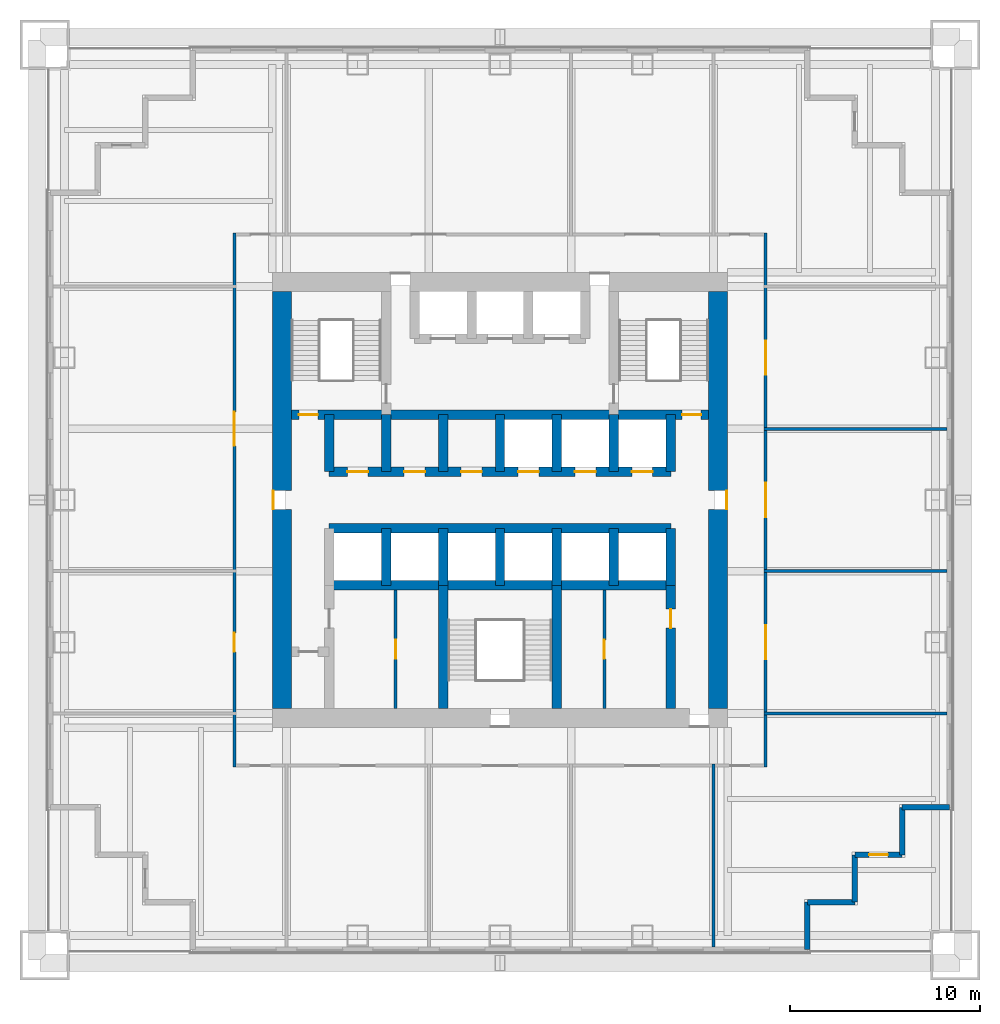
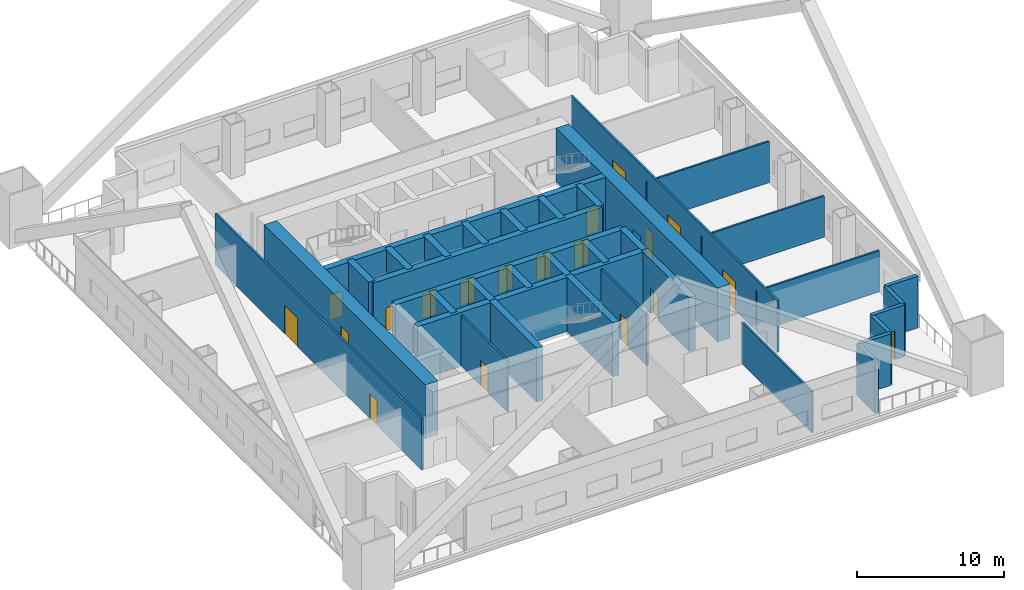
# One storey, part 3 of 6: 36 walls, 19 doors, 19 openings.
"""IFC4 building model written with IfcOpenShell, lengths in metres."""

from ifc_helpers import new_model, si_unit, direction, frame, frame_2d, origin, place, context, subcontext, project, spatial, rectangle, extrude, material, layer, layer_set, type_object, element, fill, save


model = new_model("IFC4")

# Units and contexts
model_context = context("Model", 3, precision=1e-05, world=origin(), true_north=direction((0.0, 1.0)))
body_context = subcontext(model_context, "Body", "Model", "MODEL_VIEW")
ifc_project = project(units=[si_unit("LENGTHUNIT", "METRE"), si_unit("AREAUNIT", "SQUARE_METRE"), si_unit("VOLUMEUNIT", "CUBIC_METRE"), si_unit("PLANEANGLEUNIT", "RADIAN"), si_unit("MASSUNIT", "GRAM", prefix="KILO")], contexts=[model_context])

# Site, building, storey
site_placement = place(None, origin())
site = spatial("IfcSite", under=ifc_project, at=site_placement, CompositionType="ELEMENT")
building_placement = place(site_placement, origin())
building = spatial("IfcBuilding", under=site, at=building_placement, Name="Tarangal Relay Tower", CompositionType="ELEMENT")
storey_placement = place(building_placement, frame((0.0, 0.0, 104.39990234375)))
storey = spatial("IfcBuildingStorey", under=building, at=storey_placement, Name="L20", CompositionType="ELEMENT", Elevation=104.39990234375)

# Wall, openings, doors
ifc_material_1 = material(Name="Concrete fc' 60 MPa", Category="concrete")
ifc_layer_1 = layer(ifc_material_1, 0.5)
ifc_layer_set_1 = layer_set([ifc_layer_1], Name="Core inner wall 500")
wall_type_1 = type_object("IfcWallType", Name="Core inner wall 500", PredefinedType="SHEAR", material=ifc_layer_set_1)
wall_1_placement = place(storey_placement, frame((-11.0, 4.5, 0.0), z_axis=(0.0, 0.0, 1.0), x_axis=(1.0, 0.0, 0.0)))
wall_1 = element("IfcWall", 1, at=wall_1_placement, inside=storey, type_object=wall_type_1, Name="Core wall Y45 L20", PredefinedType="SHEAR", context=body_context, shape_type="SweptSolid", body=[
    extrude(rectangle(XDim=22.0, YDim=0.5, at=frame_2d((11.0, 0.0))), origin(), (0.0, 0.0, 1.0), 4.5),
])
opening_1_placement = place(wall_1_placement, frame((0.39990234375, 0.0, 0.0)))
opening_1 = element("IfcOpeningElement", 2, at=opening_1_placement, cuts=wall_1, Name="Opening FD1", PredefinedType="OPENING", context=body_context, shape_type="SweptSolid", body=[
    extrude(rectangle(XDim=1.0, YDim=2.10009765625, at=frame_2d((0.5, 1.050048828125))), frame((0.0, 0.260009765625, 0.0), z_axis=(0.0, -1.0, 0.0), x_axis=(1.0, 0.0, 0.0)), (0.0, 0.0, 1.0), 0.52001953125),
])
opening_2_placement = place(wall_1_placement, frame((20.60009765625, 0.0, 0.0)))
opening_2 = element("IfcOpeningElement", 3, at=opening_2_placement, cuts=wall_1, Name="Opening FD1", PredefinedType="OPENING", context=body_context, shape_type="SweptSolid", body=[
    extrude(rectangle(XDim=1.0, YDim=2.10009765625, at=frame_2d((0.5, 1.050048828125))), frame((0.0, 0.260009765625, 0.0), z_axis=(0.0, -1.0, 0.0), x_axis=(1.0, 0.0, 0.0)), (0.0, 0.0, 1.0), 0.52001953125),
])
ifc_material_2 = material(Name="Steel door with hardwood frame", Category="steel")
door_type_1 = type_object("IfcDoorType", Name="Fire door 1000 x 2100", OperationType="SINGLE_SWING_LEFT", PredefinedType="DOOR", material=ifc_material_2)
door_1_placement = place(opening_1_placement, origin())
door_1 = element("IfcDoor", 4, at=door_1_placement, inside=storey, type_object=door_type_1, Name="Stair ST-A door from corridor L20", OperationType="SINGLE_SWING_LEFT", OverallHeight=2.10009765625, OverallWidth=1.0, PredefinedType="DOOR", context=body_context, shape_type="SweptSolid", body=[
    extrude(rectangle(XDim=1.0, YDim=2.10009765625, at=frame_2d((0.5, 1.050048828125))), frame((0.0, 0.02490234375, 0.0), z_axis=(0.0, -1.0, 0.0), x_axis=(1.0, 0.0, 0.0)), (0.0, 0.0, 1.0), 0.050048828125),
])
fill(opening_1, door_1)
door_2_placement = place(opening_2_placement, origin())
door_2 = element("IfcDoor", 5, at=door_2_placement, inside=storey, type_object=door_type_1, Name="Stair ST-B door from corridor L20", OperationType="SINGLE_SWING_LEFT", OverallHeight=2.10009765625, OverallWidth=1.0, PredefinedType="DOOR", context=body_context, shape_type="SweptSolid", body=[
    extrude(rectangle(XDim=1.0, YDim=2.10009765625, at=frame_2d((0.5, 1.050048828125))), frame((0.0, 0.02490234375, 0.0), z_axis=(0.0, -1.0, 0.0), x_axis=(1.0, 0.0, 0.0)), (0.0, 0.0, 1.0), 0.050048828125),
])
fill(opening_2, door_2)

wall_2_placement = place(storey_placement, frame((-9.0, 1.5, 0.0), z_axis=(0.0, 0.0, 1.0), x_axis=(1.0, 0.0, 0.0)))
wall_2 = element("IfcWall", 6, at=wall_2_placement, inside=storey, type_object=wall_type_1, Name="Core wall Y15 L20", PredefinedType="SHEAR", context=body_context, shape_type="SweptSolid", body=[
    extrude(rectangle(XDim=18.0, YDim=0.5, at=frame_2d((9.0, 0.0))), origin(), (0.0, 0.0, 1.0), 4.5),
])
opening_3_placement = place(wall_2_placement, frame((9.949951171875, 0.0, 0.0)))
opening_3 = element("IfcOpeningElement", 7, at=opening_3_placement, cuts=wall_2, Name="Opening LD1", PredefinedType="OPENING", context=body_context, shape_type="SweptSolid", body=[
    extrude(rectangle(XDim=1.10009765625, YDim=2.10009765625, at=frame_2d((0.550048828125, 1.050048828125))), frame((0.0, 0.260009765625, 0.0), z_axis=(0.0, -1.0, 0.0), x_axis=(1.0, 0.0, 0.0)), (0.0, 0.0, 1.0), 0.52001953125),
])
opening_4_placement = place(wall_2_placement, frame((12.949951171875, 0.0, 0.0)))
opening_4 = element("IfcOpeningElement", 8, at=opening_4_placement, cuts=wall_2, Name="Opening LD1", PredefinedType="OPENING", context=body_context, shape_type="SweptSolid", body=[
    extrude(rectangle(XDim=1.10009765625, YDim=2.10009765625, at=frame_2d((0.550048828125, 1.050048828125))), frame((0.0, 0.260009765625, 0.0), z_axis=(0.0, -1.0, 0.0), x_axis=(1.0, 0.0, 0.0)), (0.0, 0.0, 1.0), 0.52001953125),
])
opening_5_placement = place(wall_2_placement, frame((15.949951171875, 0.0, 0.0)))
opening_5 = element("IfcOpeningElement", 9, at=opening_5_placement, cuts=wall_2, Name="Opening LD1", PredefinedType="OPENING", context=body_context, shape_type="SweptSolid", body=[
    extrude(rectangle(XDim=1.10009765625, YDim=2.10009765625, at=frame_2d((0.550048828125, 1.050048828125))), frame((0.0, 0.260009765625, 0.0), z_axis=(0.0, -1.0, 0.0), x_axis=(1.0, 0.0, 0.0)), (0.0, 0.0, 1.0), 0.52001953125),
])
opening_6_placement = place(wall_2_placement, frame((0.949951171875, 0.0, 0.0)))
opening_6 = element("IfcOpeningElement", 10, at=opening_6_placement, cuts=wall_2, Name="Opening D4", PredefinedType="OPENING", context=body_context, shape_type="SweptSolid", body=[
    extrude(rectangle(XDim=1.10009765625, YDim=2.10009765625, at=frame_2d((0.550048828125, 1.050048828125))), frame((0.0, 0.260009765625, 0.0), z_axis=(0.0, -1.0, 0.0), x_axis=(1.0, 0.0, 0.0)), (0.0, 0.0, 1.0), 0.52001953125),
])
opening_7_placement = place(wall_2_placement, frame((3.949951171875, 0.0, 0.0)))
opening_7 = element("IfcOpeningElement", 11, at=opening_7_placement, cuts=wall_2, Name="Opening D4", PredefinedType="OPENING", context=body_context, shape_type="SweptSolid", body=[
    extrude(rectangle(XDim=1.10009765625, YDim=2.10009765625, at=frame_2d((0.550048828125, 1.050048828125))), frame((0.0, 0.260009765625, 0.0), z_axis=(0.0, -1.0, 0.0), x_axis=(1.0, 0.0, 0.0)), (0.0, 0.0, 1.0), 0.52001953125),
])
opening_8_placement = place(wall_2_placement, frame((6.949951171875, 0.0, 0.0)))
opening_8 = element("IfcOpeningElement", 12, at=opening_8_placement, cuts=wall_2, Name="Opening D4", PredefinedType="OPENING", context=body_context, shape_type="SweptSolid", body=[
    extrude(rectangle(XDim=1.10009765625, YDim=2.10009765625, at=frame_2d((0.550048828125, 1.050048828125))), frame((0.0, 0.260009765625, 0.0), z_axis=(0.0, -1.0, 0.0), x_axis=(1.0, 0.0, 0.0)), (0.0, 0.0, 1.0), 0.52001953125),
])
door_type_2 = type_object("IfcDoorType", Name="Core room door 1100 x 2100", OperationType="SINGLE_SWING_RIGHT", PredefinedType="DOOR", material=ifc_material_2)
door_3_placement = place(opening_6_placement, origin())
door_3 = element("IfcDoor", 13, at=door_3_placement, inside=storey, type_object=door_type_2, Name="Door D4 to back-of-house plant room L20-D1", OperationType="SINGLE_SWING_RIGHT", OverallHeight=2.10009765625, OverallWidth=1.10009765625, PredefinedType="DOOR", context=body_context, shape_type="SweptSolid", body=[
    extrude(rectangle(XDim=1.10009765625, YDim=2.10009765625, at=frame_2d((0.550048828125, 1.050048828125))), frame((0.0, 0.02490234375, 0.0), z_axis=(0.0, -1.0, 0.0), x_axis=(1.0, 0.0, 0.0)), (0.0, 0.0, 1.0), 0.050048828125),
])
fill(opening_6, door_3)
door_4_placement = place(opening_7_placement, origin())
door_4 = element("IfcDoor", 14, at=door_4_placement, inside=storey, type_object=door_type_2, Name="Door D4 to staff pantry L20-D2", OperationType="SINGLE_SWING_RIGHT", OverallHeight=2.10009765625, OverallWidth=1.10009765625, PredefinedType="DOOR", context=body_context, shape_type="SweptSolid", body=[
    extrude(rectangle(XDim=1.10009765625, YDim=2.10009765625, at=frame_2d((0.550048828125, 1.050048828125))), frame((0.0, 0.02490234375, 0.0), z_axis=(0.0, -1.0, 0.0), x_axis=(1.0, 0.0, 0.0)), (0.0, 0.0, 1.0), 0.050048828125),
])
fill(opening_7, door_4)
door_5_placement = place(opening_8_placement, origin())
door_5 = element("IfcDoor", 15, at=door_5_placement, inside=storey, type_object=door_type_2, Name="Door D4 to staff wc L20-D3", OperationType="SINGLE_SWING_RIGHT", OverallHeight=2.10009765625, OverallWidth=1.10009765625, PredefinedType="DOOR", context=body_context, shape_type="SweptSolid", body=[
    extrude(rectangle(XDim=1.10009765625, YDim=2.10009765625, at=frame_2d((0.550048828125, 1.050048828125))), frame((0.0, 0.02490234375, 0.0), z_axis=(0.0, -1.0, 0.0), x_axis=(1.0, 0.0, 0.0)), (0.0, 0.0, 1.0), 0.050048828125),
])
fill(opening_8, door_5)
door_type_3 = type_object("IfcDoorType", Name="Lift landing door 1100 x 2100", OperationType="SLIDING_TO_LEFT", PredefinedType="DOOR", material=ifc_material_2)
door_6_placement = place(opening_3_placement, origin())
door_6 = element("IfcDoor", 16, at=door_6_placement, inside=storey, type_object=door_type_3, Name="Lift T1 landing door L20", OperationType="SLIDING_TO_LEFT", OverallHeight=2.10009765625, OverallWidth=1.10009765625, PredefinedType="DOOR", context=body_context, shape_type="SweptSolid", body=[
    extrude(rectangle(XDim=1.10009765625, YDim=2.10009765625, at=frame_2d((0.550048828125, 1.050048828125))), frame((0.0, 0.02490234375, 0.0), z_axis=(0.0, -1.0, 0.0), x_axis=(1.0, 0.0, 0.0)), (0.0, 0.0, 1.0), 0.050048828125),
])
fill(opening_3, door_6)
door_7_placement = place(opening_4_placement, origin())
door_7 = element("IfcDoor", 17, at=door_7_placement, inside=storey, type_object=door_type_3, Name="Lift T2 landing door L20", OperationType="SLIDING_TO_LEFT", OverallHeight=2.10009765625, OverallWidth=1.10009765625, PredefinedType="DOOR", context=body_context, shape_type="SweptSolid", body=[
    extrude(rectangle(XDim=1.10009765625, YDim=2.10009765625, at=frame_2d((0.550048828125, 1.050048828125))), frame((0.0, 0.02490234375, 0.0), z_axis=(0.0, -1.0, 0.0), x_axis=(1.0, 0.0, 0.0)), (0.0, 0.0, 1.0), 0.050048828125),
])
fill(opening_4, door_7)
door_8_placement = place(opening_5_placement, origin())
door_8 = element("IfcDoor", 18, at=door_8_placement, inside=storey, type_object=door_type_3, Name="Lift T3 landing door L20", OperationType="SLIDING_TO_LEFT", OverallHeight=2.10009765625, OverallWidth=1.10009765625, PredefinedType="DOOR", context=body_context, shape_type="SweptSolid", body=[
    extrude(rectangle(XDim=1.10009765625, YDim=2.10009765625, at=frame_2d((0.550048828125, 1.050048828125))), frame((0.0, 0.02490234375, 0.0), z_axis=(0.0, -1.0, 0.0), x_axis=(1.0, 0.0, 0.0)), (0.0, 0.0, 1.0), 0.050048828125),
])
fill(opening_5, door_8)

# Walls
for number, where, z_axis, x_axis, name in (
    (19, (-9.0, -1.5, 0.0), (0.0, 0.0, 1.0), (1.0, 0.0, 0.0), "Core wall YM15 L20"),
    (20, (-9.0, -4.5, 0.0), (0.0, 0.0, 1.0), (1.0, 0.0, 0.0), "Core wall YM45 L20"),
):
    element("IfcWall", number, at=place(storey_placement, frame(where, z_axis=z_axis, x_axis=x_axis)), inside=storey, type_object=wall_type_1, Name=name, PredefinedType="SHEAR", context=body_context, shape_type="SweptSolid", body=[
        extrude(rectangle(XDim=18.0, YDim=0.5, at=frame_2d((9.0, 0.0))), origin(), (0.0, 0.0, 1.0), 4.5),
    ])
for number, where, z_axis, x_axis, name in (
    (21, (-9.0, 1.5, 0.0), (0.0, 0.0, 1.0), (0.0, 1.0, 0.0), "Core wall XM9N L20"),
    (22, (9.0, 1.5, 0.0), (0.0, 0.0, 1.0), (0.0, 1.0, 0.0), "Core wall X9N L20"),
    (23, (9.0, -4.5, 0.0), (0.0, 0.0, 1.0), (0.0, 1.0, 0.0), "Core wall X9S L20"),
    (24, (-6.0, 1.5, 0.0), (0.0, 0.0, 1.0), (0.0, 1.0, 0.0), "Core wall XM6N L20"),
    (25, (-3.0, 1.5, 0.0), (0.0, 0.0, 1.0), (0.0, 1.0, 0.0), "Core wall XM3N L20"),
    (26, (0.0, 1.5, 0.0), (0.0, 0.0, 1.0), (0.0, 1.0, 0.0), "Core wall X0N L20"),
    (27, (3.0, 1.5, 0.0), (0.0, 0.0, 1.0), (0.0, 1.0, 0.0), "Core wall X3N L20"),
    (28, (6.0, 1.5, 0.0), (0.0, 0.0, 1.0), (0.0, 1.0, 0.0), "Core wall X6N L20"),
    (29, (-6.0, -4.5, 0.0), (0.0, 0.0, 1.0), (0.0, 1.0, 0.0), "Core wall XM6S L20"),
    (30, (-3.0, -4.5, 0.0), (0.0, 0.0, 1.0), (0.0, 1.0, 0.0), "Core wall XM3S L20"),
    (31, (0.0, -4.5, 0.0), (0.0, 0.0, 1.0), (0.0, 1.0, 0.0), "Core wall X0S L20"),
    (32, (3.0, -4.5, 0.0), (0.0, 0.0, 1.0), (0.0, 1.0, 0.0), "Core wall X3S L20"),
    (33, (6.0, -4.5, 0.0), (0.0, 0.0, 1.0), (0.0, 1.0, 0.0), "Core wall X6S L20"),
):
    element("IfcWall", number, at=place(storey_placement, frame(where, z_axis=z_axis, x_axis=x_axis)), inside=storey, type_object=wall_type_1, Name=name, PredefinedType="SHEAR", context=body_context, shape_type="SweptSolid", body=[
        extrude(rectangle(XDim=3.0, YDim=0.5, at=frame_2d((1.5, 0.0))), origin(), (0.0, 0.0, 1.0), 4.5),
    ])

# Wall, opening, door
wall_3_placement = place(storey_placement, frame((9.0, -11.0, 0.0), z_axis=(0.0, 0.0, 1.0), x_axis=(0.0, 1.0, 0.0)))
wall_3 = element("IfcWall", 34, at=wall_3_placement, inside=storey, type_object=wall_type_1, Name="Core wall X9W L20", PredefinedType="SHEAR", context=body_context, shape_type="SweptSolid", body=[
    extrude(rectangle(XDim=6.5, YDim=0.5, at=frame_2d((3.25, 0.0))), origin(), (0.0, 0.0, 1.0), 4.5),
])
opening_9_placement = place(wall_3_placement, frame((4.25, 0.0, 0.0)))
opening_9 = element("IfcOpeningElement", 35, at=opening_9_placement, cuts=wall_3, Name="Opening D1", PredefinedType="OPENING", context=body_context, shape_type="SweptSolid", body=[
    extrude(rectangle(XDim=1.0, YDim=2.10009765625, at=frame_2d((0.5, 1.050048828125))), frame((0.0, 0.260009765625, 0.0), z_axis=(0.0, -1.0, 0.0), x_axis=(1.0, 0.0, 0.0)), (0.0, 0.0, 1.0), 0.52001953125),
])
ifc_material_3 = material(Name="Hardwood door", Category="wood")
door_type_4 = type_object("IfcDoorType", Name="WC door 1000 x 2100", OperationType="SINGLE_SWING_LEFT", PredefinedType="DOOR", material=ifc_material_3)
door_9_placement = place(opening_9_placement, origin())
door_9 = element("IfcDoor", 36, at=door_9_placement, inside=storey, type_object=door_type_4, Name="Female WC door L20", OperationType="SINGLE_SWING_LEFT", OverallHeight=2.10009765625, OverallWidth=1.0, PredefinedType="DOOR", context=body_context, shape_type="SweptSolid", body=[
    extrude(rectangle(XDim=1.0, YDim=2.10009765625, at=frame_2d((0.5, 1.050048828125))), frame((0.0, 0.02490234375, 0.0), z_axis=(0.0, -1.0, 0.0), x_axis=(1.0, 0.0, 0.0)), (0.0, 0.0, 1.0), 0.050048828125),
])
fill(opening_9, door_9)

# Walls
for number, where, z_axis, x_axis, name in (
    (37, (-3.0, -11.0, 0.0), (0.0, 0.0, 1.0), (0.0, 1.0, 0.0), "Core wall XM3W L20"),
    (38, (3.0, -11.0, 0.0), (0.0, 0.0, 1.0), (0.0, 1.0, 0.0), "Core wall X3W L20"),
):
    element("IfcWall", number, at=place(storey_placement, frame(where, z_axis=z_axis, x_axis=x_axis)), inside=storey, type_object=wall_type_1, Name=name, PredefinedType="SHEAR", context=body_context, shape_type="SweptSolid", body=[
        extrude(rectangle(XDim=6.5, YDim=0.5, at=frame_2d((3.25, 0.0))), origin(), (0.0, 0.0, 1.0), 4.5),
    ])

# Wall, opening, door
ifc_layer_2 = layer(ifc_material_1, 1.0)
ifc_layer_set_2 = layer_set([ifc_layer_2], Name="Core wall 1000")
wall_type_2 = type_object("IfcWallType", Name="Core wall 1000", PredefinedType="SHEAR", material=ifc_layer_set_2)
wall_4_placement = place(storey_placement, frame((11.5, 11.0, 0.0), z_axis=(0.0, 0.0, 1.0), x_axis=(0.0, -1.0, 0.0)))
wall_4 = element("IfcWall", 39, at=wall_4_placement, inside=storey, type_object=wall_type_2, Name="Core wall E L20", PredefinedType="SHEAR", context=body_context, shape_type="SweptSolid", body=[
    extrude(rectangle(XDim=22.0, YDim=1.0, at=frame_2d((11.0, 0.0))), origin(), (0.0, 0.0, 1.0), 4.5),
])
opening_10_placement = place(wall_4_placement, frame((10.5, 0.0, 0.0)))
opening_10 = element("IfcOpeningElement", 40, at=opening_10_placement, cuts=wall_4, Name="Opening FD3", PredefinedType="OPENING", context=body_context, shape_type="SweptSolid", body=[
    extrude(rectangle(XDim=1.0, YDim=2.39990234375, at=frame_2d((0.5, 1.199951171875))), frame((0.0, 0.510009765625, 0.0), z_axis=(0.0, -1.0, 0.0), x_axis=(1.0, 0.0, 0.0)), (0.0, 0.0, 1.0), 1.02001953125),
])
door_type_5 = type_object("IfcDoorType", Name="Fire door 1000 x 2400 core entry", OperationType="SINGLE_SWING_RIGHT", PredefinedType="DOOR", material=ifc_material_2)
door_10_placement = place(opening_10_placement, origin())
door_10 = element("IfcDoor", 41, at=door_10_placement, inside=storey, type_object=door_type_5, Name="Core entry door east L20", OperationType="SINGLE_SWING_RIGHT", OverallHeight=2.39990234375, OverallWidth=1.0, PredefinedType="DOOR", context=body_context, shape_type="SweptSolid", body=[
    extrude(rectangle(XDim=1.0, YDim=2.39990234375, at=frame_2d((0.5, 1.199951171875))), frame((0.0, 0.48486328125, 0.0), z_axis=(0.0, -1.0, 0.0), x_axis=(1.0, 0.0, 0.0)), (0.0, 0.0, 1.0), 0.050048828125),
])
fill(opening_10, door_10)

wall_5_placement = place(storey_placement, frame((-11.5, -11.0, 0.0), z_axis=(0.0, 0.0, 1.0), x_axis=(0.0, 1.0, 0.0)))
wall_5 = element("IfcWall", 42, at=wall_5_placement, inside=storey, type_object=wall_type_2, Name="Core wall W L20", PredefinedType="SHEAR", context=body_context, shape_type="SweptSolid", body=[
    extrude(rectangle(XDim=22.0, YDim=1.0, at=frame_2d((11.0, 0.0))), origin(), (0.0, 0.0, 1.0), 4.5),
])
opening_11_placement = place(wall_5_placement, frame((10.5, 0.0, 0.0)))
opening_11 = element("IfcOpeningElement", 43, at=opening_11_placement, cuts=wall_5, Name="Opening FD3", PredefinedType="OPENING", context=body_context, shape_type="SweptSolid", body=[
    extrude(rectangle(XDim=1.0, YDim=2.39990234375, at=frame_2d((0.5, 1.199951171875))), frame((0.0, 0.510009765625, 0.0), z_axis=(0.0, -1.0, 0.0), x_axis=(1.0, 0.0, 0.0)), (0.0, 0.0, 1.0), 1.02001953125),
])
door_11_placement = place(opening_11_placement, origin())
door_11 = element("IfcDoor", 44, at=door_11_placement, inside=storey, type_object=door_type_5, Name="Core entry door west L20", OperationType="SINGLE_SWING_RIGHT", OverallHeight=2.39990234375, OverallWidth=1.0, PredefinedType="DOOR", context=body_context, shape_type="SweptSolid", body=[
    extrude(rectangle(XDim=1.0, YDim=2.39990234375, at=frame_2d((0.5, 1.199951171875))), frame((0.0, 0.48486328125, 0.0), z_axis=(0.0, -1.0, 0.0), x_axis=(1.0, 0.0, 0.0)), (0.0, 0.0, 1.0), 0.050048828125),
])
fill(opening_11, door_11)

# Walls
ifc_material_4 = material(Name="Insulated precast concrete fc' 40 MPa", Category="concrete")
ifc_layer_3 = layer(ifc_material_4, 0.300048828125)
ifc_layer_set_3 = layer_set([ifc_layer_3], Name="Insulated precast concrete fc' 40 MPa")
wall_type_3 = type_object("IfcWallType", Name="Facade wall precast 300", PredefinedType="SOLIDWALL", material=ifc_layer_set_3)
for number, where, z_axis, x_axis, name in (
    (45, (23.699951171875, -16.199951171875, 0.0), (0.0, 0.0, 1.0), (-1.0, 0.0, 0.0), "Facade wall E facade L20"),
    (46, (21.199951171875, -16.199951171875, 0.0), (0.0, 0.0, 1.0), (0.0, -1.0, 0.0), "Facade wall E facade L20"),
):
    element("IfcWall", number, at=place(storey_placement, frame(where, z_axis=z_axis, x_axis=x_axis)), inside=storey, type_object=wall_type_3, Name=name, PredefinedType="SOLIDWALL", context=body_context, shape_type="SweptSolid", body=[
        extrude(rectangle(XDim=2.5, YDim=0.300048828125, at=frame_2d((1.25, 0.0))), origin(), (0.0, 0.0, 1.0), 4.300048828125),
    ])

# Wall, opening, door
wall_6_placement = place(storey_placement, frame((21.199951171875, -18.699951171875, 0.0), z_axis=(0.0, 0.0, 1.0), x_axis=(-1.0, 0.0, 0.0)))
wall_6 = element("IfcWall", 47, at=wall_6_placement, inside=storey, type_object=wall_type_3, Name="Facade wall E facade L20", PredefinedType="SOLIDWALL", context=body_context, shape_type="SweptSolid", body=[
    extrude(rectangle(XDim=2.5, YDim=0.300048828125, at=frame_2d((1.25, 0.0))), origin(), (0.0, 0.0, 1.0), 4.300048828125),
])
opening_12_placement = place(wall_6_placement, frame((0.75, 0.0, 0.0)))
opening_12 = element("IfcOpeningElement", 48, at=opening_12_placement, cuts=wall_6, Name="Opening TD1", PredefinedType="OPENING", context=body_context, shape_type="SweptSolid", body=[
    extrude(rectangle(XDim=1.0, YDim=2.39990234375, at=frame_2d((0.5, 1.199951171875))), frame((0.0, 0.159912109375, 0.0), z_axis=(0.0, -1.0, 0.0), x_axis=(1.0, 0.0, 0.0)), (0.0, 0.0, 1.0), 0.320068359375),
])
ifc_material_5 = material(Name="Aluminium glazed door", Category="aluminium")
door_type_6 = type_object("IfcDoorType", Name="Terrace door 1000 x 2400", OperationType="SINGLE_SWING_RIGHT", PredefinedType="DOOR", material=ifc_material_5)
door_12_placement = place(opening_12_placement, origin())
door_12 = element("IfcDoor", 49, at=door_12_placement, inside=storey, type_object=door_type_6, Name="Terrace door TD1 SE L20", OperationType="SINGLE_SWING_RIGHT", OverallHeight=2.39990234375, OverallWidth=1.0, PredefinedType="DOOR", context=body_context, shape_type="SweptSolid", body=[
    extrude(rectangle(XDim=1.0, YDim=2.39990234375, at=frame_2d((0.5, 1.199951171875))), frame((0.0, 0.02490234375, 0.0), z_axis=(0.0, -1.0, 0.0), x_axis=(1.0, 0.0, 0.0)), (0.0, 0.0, 1.0), 0.050048828125),
])
fill(opening_12, door_12)

# Walls
for number, where, z_axis, x_axis, name in (
    (50, (18.699951171875, -18.699951171875, 0.0), (0.0, 0.0, 1.0), (0.0, -1.0, 0.0), "Facade wall E facade L20"),
    (51, (18.699951171875, -21.199951171875, 0.0), (0.0, 0.0, 1.0), (-1.0, 0.0, 0.0), "Facade wall E facade L20"),
    (52, (16.199951171875, -21.199951171875, 0.0), (0.0, 0.0, 1.0), (0.0, -1.0, 0.0), "Facade wall E facade L20"),
):
    element("IfcWall", number, at=place(storey_placement, frame(where, z_axis=z_axis, x_axis=x_axis)), inside=storey, type_object=wall_type_3, Name=name, PredefinedType="SOLIDWALL", context=body_context, shape_type="SweptSolid", body=[
        extrude(rectangle(XDim=2.5, YDim=0.300048828125, at=frame_2d((1.25, 0.0))), origin(), (0.0, 0.0, 1.0), 4.300048828125),
    ])
ifc_material_6 = material(Name="Gypsum board on steel studs", Category="steel")
ifc_layer_4 = layer(ifc_material_6, 0.14990234375)
ifc_layer_set_4 = layer_set([ifc_layer_4], Name="Partition 150")
wall_type_4 = type_object("IfcWallType", Name="Partition 150", PredefinedType="PARTITIONING", material=ifc_layer_set_4)
for number, where, z_axis, x_axis, name in (
    (53, (13.925048828125, -11.25, 0.0), (0.0, 0.0, 1.0), (1.0, 0.0, 0.0), "Partition PT1 L20"),
    (54, (13.925048828125, -3.75, 0.0), (0.0, 0.0, 1.0), (1.0, 0.0, 0.0), "Partition PT1 L20"),
    (55, (13.925048828125, 3.75, 0.0), (0.0, 0.0, 1.0), (1.0, 0.0, 0.0), "Partition PT1 L20"),
):
    element("IfcWall", number, at=place(storey_placement, frame(where, z_axis=z_axis, x_axis=x_axis)), inside=storey, type_object=wall_type_4, Name=name, PredefinedType="PARTITIONING", context=body_context, shape_type="SweptSolid", body=[
        extrude(rectangle(XDim=9.625, YDim=0.14990234375, at=frame_2d((4.8125, 0.0))), origin(), (0.0, 0.0, 1.0), 3.431396484375),
    ])

# Wall, openings, doors
wall_7_placement = place(storey_placement, frame((-14.0, -14.074951171875, 0.0), z_axis=(0.0, 0.0, 1.0), x_axis=(0.0, 1.0, 0.0)))
wall_7 = element("IfcWall", 56, at=wall_7_placement, inside=storey, type_object=wall_type_4, Name="Partition PT1 L20", PredefinedType="PARTITIONING", context=body_context, shape_type="SweptSolid", body=[
    extrude(rectangle(XDim=28.14990234375, YDim=0.14990234375, at=frame_2d((14.074951171875, 0.0))), origin(), (0.0, 0.0, 1.0), 4.300048828125),
])
opening_13_placement = place(wall_7_placement, frame((6.074951171875, 0.0, 0.0)))
opening_13 = element("IfcOpeningElement", 57, at=opening_13_placement, cuts=wall_7, Name="Opening D2", PredefinedType="OPENING", context=body_context, shape_type="SweptSolid", body=[
    extrude(rectangle(XDim=1.0, YDim=2.10009765625, at=frame_2d((0.5, 1.050048828125))), frame((0.0, 0.0849609375, 0.0), z_axis=(0.0, -1.0, 0.0), x_axis=(1.0, 0.0, 0.0)), (0.0, 0.0, 1.0), 0.169921875),
])
opening_14_placement = place(wall_7_placement, frame((16.925048828125, 0.0, 0.0)))
opening_14 = element("IfcOpeningElement", 58, at=opening_14_placement, cuts=wall_7, Name="Opening DD1", PredefinedType="OPENING", context=body_context, shape_type="SweptSolid", body=[
    extrude(rectangle(XDim=1.800048828125, YDim=2.39990234375, at=frame_2d((0.89990234375, 1.199951171875))), frame((0.0, 0.0849609375, 0.0), z_axis=(0.0, -1.0, 0.0), x_axis=(1.0, 0.0, 0.0)), (0.0, 0.0, 1.0), 0.169921875),
])
door_type_7 = type_object("IfcDoorType", Name="Door 1000 x 2100", OperationType="SINGLE_SWING_LEFT", PredefinedType="DOOR", material=ifc_material_3)
door_13_placement = place(opening_13_placement, origin())
door_13 = element("IfcDoor", 59, at=door_13_placement, inside=storey, type_object=door_type_7, Name="Door D2 to carrier office L20-10", OperationType="SINGLE_SWING_LEFT", OverallHeight=2.10009765625, OverallWidth=1.0, PredefinedType="DOOR", context=body_context, shape_type="SweptSolid", body=[
    extrude(rectangle(XDim=1.0, YDim=2.10009765625, at=frame_2d((0.5, 1.050048828125))), frame((0.0, 0.02490234375, 0.0), z_axis=(0.0, -1.0, 0.0), x_axis=(1.0, 0.0, 0.0)), (0.0, 0.0, 1.0), 0.050048828125),
])
fill(opening_13, door_13)
door_type_8 = type_object("IfcDoorType", Name="Equipment double door 1800 x 2400", OperationType="DOUBLE_DOOR_SINGLE_SWING", PredefinedType="DOOR", material=ifc_material_2)
door_14_placement = place(opening_14_placement, origin())
door_14 = element("IfcDoor", 60, at=door_14_placement, inside=storey, type_object=door_type_8, Name="Door DD1 to telecom equipment room L20-11", OperationType="DOUBLE_DOOR_SINGLE_SWING", OverallHeight=2.39990234375, OverallWidth=1.800048828125, PredefinedType="DOOR", context=body_context, shape_type="SweptSolid", body=[
    extrude(rectangle(XDim=1.800048828125, YDim=2.39990234375, at=frame_2d((0.89990234375, 1.199951171875))), frame((0.0, 0.02490234375, 0.0), z_axis=(0.0, -1.0, 0.0), x_axis=(1.0, 0.0, 0.0)), (0.0, 0.0, 1.0), 0.050048828125),
])
fill(opening_14, door_14)

# Wall
wall_8_placement = place(storey_placement, frame((11.25, -23.550048828125, 0.0), z_axis=(0.0, 0.0, 1.0), x_axis=(0.0, 1.0, 0.0)))
element("IfcWall", 61, at=wall_8_placement, inside=storey, type_object=wall_type_4, Name="Partition PT1 L20", PredefinedType="PARTITIONING", context=body_context, shape_type="SweptSolid", body=[
    extrude(rectangle(XDim=9.625, YDim=0.14990234375, at=frame_2d((4.8125, 0.0))), origin(), (0.0, 0.0, 1.0), 3.431396484375),
])

# Wall, openings, doors
wall_9_placement = place(storey_placement, frame((14.0, -14.074951171875, 0.0), z_axis=(0.0, 0.0, 1.0), x_axis=(0.0, 1.0, 0.0)))
wall_9 = element("IfcWall", 62, at=wall_9_placement, inside=storey, type_object=wall_type_4, Name="Partition PT1 L20", PredefinedType="PARTITIONING", context=body_context, shape_type="SweptSolid", body=[
    extrude(rectangle(XDim=28.14990234375, YDim=0.14990234375, at=frame_2d((14.074951171875, 0.0))), origin(), (0.0, 0.0, 1.0), 4.300048828125),
])
opening_15_placement = place(wall_9_placement, frame((20.675048828125, 0.0, 0.0)))
opening_15 = element("IfcOpeningElement", 63, at=opening_15_placement, cuts=wall_9, Name="Opening DD1", PredefinedType="OPENING", context=body_context, shape_type="SweptSolid", body=[
    extrude(rectangle(XDim=1.800048828125, YDim=2.39990234375, at=frame_2d((0.89990234375, 1.199951171875))), frame((0.0, 0.0849609375, 0.0), z_axis=(0.0, -1.0, 0.0), x_axis=(1.0, 0.0, 0.0)), (0.0, 0.0, 1.0), 0.169921875),
])
opening_16_placement = place(wall_9_placement, frame((13.175048828125, 0.0, 0.0)))
opening_16 = element("IfcOpeningElement", 64, at=opening_16_placement, cuts=wall_9, Name="Opening DD1", PredefinedType="OPENING", context=body_context, shape_type="SweptSolid", body=[
    extrude(rectangle(XDim=1.800048828125, YDim=2.39990234375, at=frame_2d((0.89990234375, 1.199951171875))), frame((0.0, 0.0849609375, 0.0), z_axis=(0.0, -1.0, 0.0), x_axis=(1.0, 0.0, 0.0)), (0.0, 0.0, 1.0), 0.169921875),
])
opening_17_placement = place(wall_9_placement, frame((5.675048828125, 0.0, 0.0)))
opening_17 = element("IfcOpeningElement", 65, at=opening_17_placement, cuts=wall_9, Name="Opening DD1", PredefinedType="OPENING", context=body_context, shape_type="SweptSolid", body=[
    extrude(rectangle(XDim=1.800048828125, YDim=2.39990234375, at=frame_2d((0.89990234375, 1.199951171875))), frame((0.0, 0.0849609375, 0.0), z_axis=(0.0, -1.0, 0.0), x_axis=(1.0, 0.0, 0.0)), (0.0, 0.0, 1.0), 0.169921875),
])
door_15_placement = place(opening_15_placement, origin())
door_15 = element("IfcDoor", 66, at=door_15_placement, inside=storey, type_object=door_type_8, Name="Door DD1 to carrier equipment room L20-04", OperationType="DOUBLE_DOOR_SINGLE_SWING", OverallHeight=2.39990234375, OverallWidth=1.800048828125, PredefinedType="DOOR", context=body_context, shape_type="SweptSolid", body=[
    extrude(rectangle(XDim=1.800048828125, YDim=2.39990234375, at=frame_2d((0.89990234375, 1.199951171875))), frame((0.0, 0.02490234375, 0.0), z_axis=(0.0, -1.0, 0.0), x_axis=(1.0, 0.0, 0.0)), (0.0, 0.0, 1.0), 0.050048828125),
])
fill(opening_15, door_15)
door_16_placement = place(opening_16_placement, origin())
door_16 = element("IfcDoor", 67, at=door_16_placement, inside=storey, type_object=door_type_8, Name="Door DD1 to carrier equipment room L20-05", OperationType="DOUBLE_DOOR_SINGLE_SWING", OverallHeight=2.39990234375, OverallWidth=1.800048828125, PredefinedType="DOOR", context=body_context, shape_type="SweptSolid", body=[
    extrude(rectangle(XDim=1.800048828125, YDim=2.39990234375, at=frame_2d((0.89990234375, 1.199951171875))), frame((0.0, 0.02490234375, 0.0), z_axis=(0.0, -1.0, 0.0), x_axis=(1.0, 0.0, 0.0)), (0.0, 0.0, 1.0), 0.050048828125),
])
fill(opening_16, door_16)
door_17_placement = place(opening_17_placement, origin())
door_17 = element("IfcDoor", 68, at=door_17_placement, inside=storey, type_object=door_type_8, Name="Door DD1 to carrier equipment room L20-06", OperationType="DOUBLE_DOOR_SINGLE_SWING", OverallHeight=2.39990234375, OverallWidth=1.800048828125, PredefinedType="DOOR", context=body_context, shape_type="SweptSolid", body=[
    extrude(rectangle(XDim=1.800048828125, YDim=2.39990234375, at=frame_2d((0.89990234375, 1.199951171875))), frame((0.0, 0.02490234375, 0.0), z_axis=(0.0, -1.0, 0.0), x_axis=(1.0, 0.0, 0.0)), (0.0, 0.0, 1.0), 0.050048828125),
])
fill(opening_17, door_17)

# Wall, opening, door
wall_10_placement = place(storey_placement, frame((-5.5, -11.0, 0.0), z_axis=(0.0, 0.0, 1.0), x_axis=(0.0, 1.0, 0.0)))
wall_10 = element("IfcWall", 69, at=wall_10_placement, inside=storey, type_object=wall_type_4, Name="Partition PT1 L20", PredefinedType="PARTITIONING", context=body_context, shape_type="SweptSolid", body=[
    extrude(rectangle(XDim=6.25, YDim=0.14990234375, at=frame_2d((3.125, 0.0))), origin(), (0.0, 0.0, 1.0), 4.25),
])
opening_18_placement = place(wall_10_placement, frame((2.625, 0.0, 0.0)))
opening_18 = element("IfcOpeningElement", 70, at=opening_18_placement, cuts=wall_10, Name="Opening D1", PredefinedType="OPENING", context=body_context, shape_type="SweptSolid", body=[
    extrude(rectangle(XDim=1.0, YDim=2.10009765625, at=frame_2d((0.5, 1.050048828125))), frame((0.0, 0.0849609375, 0.0), z_axis=(0.0, -1.0, 0.0), x_axis=(1.0, 0.0, 0.0)), (0.0, 0.0, 1.0), 0.169921875),
])
door_18_placement = place(opening_18_placement, origin())
door_18 = element("IfcDoor", 71, at=door_18_placement, inside=storey, type_object=door_type_4, Name="Door D1 to male shower and changing room L20-C7B", OperationType="SINGLE_SWING_LEFT", OverallHeight=2.10009765625, OverallWidth=1.0, PredefinedType="DOOR", context=body_context, shape_type="SweptSolid", body=[
    extrude(rectangle(XDim=1.0, YDim=2.10009765625, at=frame_2d((0.5, 1.050048828125))), frame((0.0, 0.02490234375, 0.0), z_axis=(0.0, -1.0, 0.0), x_axis=(1.0, 0.0, 0.0)), (0.0, 0.0, 1.0), 0.050048828125),
])
fill(opening_18, door_18)

wall_11_placement = place(storey_placement, frame((5.5, -11.0, 0.0), z_axis=(0.0, 0.0, 1.0), x_axis=(0.0, 1.0, 0.0)))
wall_11 = element("IfcWall", 72, at=wall_11_placement, inside=storey, type_object=wall_type_4, Name="Partition PT1 L20", PredefinedType="PARTITIONING", context=body_context, shape_type="SweptSolid", body=[
    extrude(rectangle(XDim=6.25, YDim=0.14990234375, at=frame_2d((3.125, 0.0))), origin(), (0.0, 0.0, 1.0), 4.25),
])
opening_19_placement = place(wall_11_placement, frame((2.625, 0.0, 0.0)))
opening_19 = element("IfcOpeningElement", 73, at=opening_19_placement, cuts=wall_11, Name="Opening D1", PredefinedType="OPENING", context=body_context, shape_type="SweptSolid", body=[
    extrude(rectangle(XDim=1.0, YDim=2.10009765625, at=frame_2d((0.5, 1.050048828125))), frame((0.0, 0.0849609375, 0.0), z_axis=(0.0, -1.0, 0.0), x_axis=(1.0, 0.0, 0.0)), (0.0, 0.0, 1.0), 0.169921875),
])
door_19_placement = place(opening_19_placement, origin())
door_19 = element("IfcDoor", 74, at=door_19_placement, inside=storey, type_object=door_type_4, Name="Door D1 to female shower and changing room L20-C10B", OperationType="SINGLE_SWING_LEFT", OverallHeight=2.10009765625, OverallWidth=1.0, PredefinedType="DOOR", context=body_context, shape_type="SweptSolid", body=[
    extrude(rectangle(XDim=1.0, YDim=2.10009765625, at=frame_2d((0.5, 1.050048828125))), frame((0.0, 0.02490234375, 0.0), z_axis=(0.0, -1.0, 0.0), x_axis=(1.0, 0.0, 0.0)), (0.0, 0.0, 1.0), 0.050048828125),
])
fill(opening_19, door_19)

save(model, "model.ifc")
